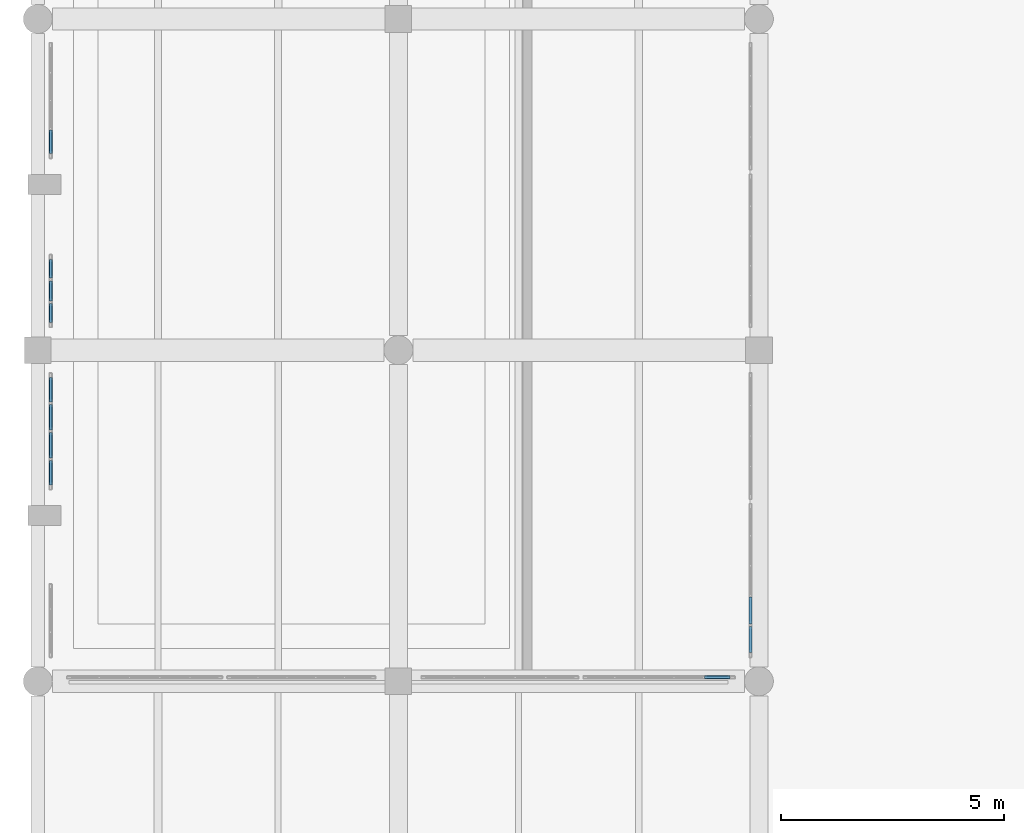
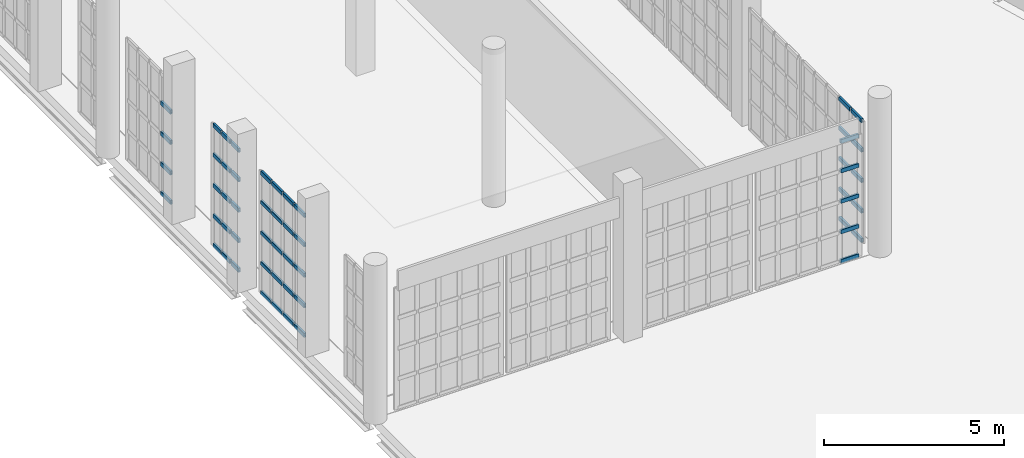
# One storey, part 294 of 372: 54 members, 5 elements without a shape of their own.
"""IFC4 building model written with IfcOpenShell, lengths in metres."""

import ifcopenshell
import ifcopenshell.guid

model = None  # the IFC model being written
_history = None  # IfcOwnerHistory: only IFC2X3 demands one
_inside = {}  # id of a spatial element -> (the spatial element, [elements in it])
_under = {}  # id of a project, library or spatial element -> (it, [spatial elements below it])
_declared = {}  # id of a project -> (the project, [libraries it declares])
_typed = {}  # id of a type object -> (the type object, [elements of that type])
_made_of = {}  # id of a material, layer set ... -> (it, [elements and type objects made of it])


def new_model(schema):
    """Start an empty IFC model of exactly this schema.

    Asked for "IFC4X3", IfcOpenShell would pick the latest addendum, in which some entities
    have other attributes; the version numbers below select the first issue.
    IFC2X3 requires an IfcOwnerHistory on every rooted entity: one is made here for all.
    """
    global model, _history
    if schema == "IFC4X3":
        model = ifcopenshell.file(schema_version=(4, 3, 0, 0))
    else:
        model = ifcopenshell.file(schema=schema)
    _inside.clear()
    _under.clear()
    _declared.clear()
    _typed.clear()
    _made_of.clear()
    _history = None
    if model.schema == "IFC2X3":
        org = make("IfcOrganization", Name="unknown")
        user = make(
            "IfcPersonAndOrganization",
            ThePerson=make("IfcPerson", FamilyName="unknown"),
            TheOrganization=org,
        )
        app = make(
            "IfcApplication",
            ApplicationDeveloper=org,
            Version="unknown",
            ApplicationFullName="unknown",
            ApplicationIdentifier="unknown",
        )
        _history = make(
            "IfcOwnerHistory",
            OwningUser=user,
            OwningApplication=app,
            ChangeAction="ADDED",
            CreationDate=0,
        )
    return model


def make(cls, **values):
    """One entity of the class cls with the attributes given. An attribute that is None is left unset."""
    return model.create_entity(
        cls, **{name: value for name, value in values.items() if value is not None}
    )


def rooted(cls, **values):
    """An entity with a GlobalId (a new one), such as an element, a storey or a relation."""
    return make(cls, GlobalId=ifcopenshell.guid.new(), OwnerHistory=_history, **values)


def si_unit(unit_type, name, prefix=None):
    """IfcSIUnit, for example si_unit("LENGTHUNIT", "METRE", prefix="MILLI")."""
    return make("IfcSIUnit", UnitType=unit_type, Prefix=prefix, Name=name)


def assignment(units):
    """IfcUnitAssignment: the units of a project."""
    return None if units is None else make("IfcUnitAssignment", Units=units)


def point(xyz):
    """IfcCartesianPoint."""
    return None if xyz is None else make("IfcCartesianPoint", Coordinates=xyz)


def direction(xyz):
    """IfcDirection."""
    return None if xyz is None else make("IfcDirection", DirectionRatios=xyz)


def frame(location, z_axis=None, x_axis=None):
    """IfcAxis2Placement3D, a coordinate frame: its origin and axes. An axis left out is left unset."""
    return make(
        "IfcAxis2Placement3D",
        Location=point(location),
        Axis=direction(z_axis),
        RefDirection=direction(x_axis),
    )


def frame_2d(location, x_axis=None):
    """IfcAxis2Placement2D, a coordinate frame in the plane: its origin and x axis."""
    return make(
        "IfcAxis2Placement2D", Location=point(location), RefDirection=direction(x_axis)
    )


def origin():
    """The frame at (0, 0, 0) with its axes left unset."""
    return frame((0.0, 0.0, 0.0))


def origin_2d():
    """The frame at (0, 0) in the plane with its x axis left unset."""
    return frame_2d((0.0, 0.0))


def place(relative_to, where):
    """IfcLocalPlacement: puts the frame where relative to a parent placement (None: the world)."""
    return make(
        "IfcLocalPlacement", PlacementRelTo=relative_to, RelativePlacement=where
    )


def context(
    kind, dimensions, precision=None, world=None, true_north=None, identifier=None
):
    """IfcGeometricRepresentationContext, for example the 3D "Model" context."""
    return make(
        "IfcGeometricRepresentationContext",
        ContextIdentifier=identifier,
        ContextType=kind,
        CoordinateSpaceDimension=dimensions,
        Precision=precision,
        WorldCoordinateSystem=world,
        TrueNorth=true_north,
    )


def subcontext(parent, identifier, kind, view, scale=None):
    """IfcGeometricRepresentationSubContext, for example "Body" below "Model"."""
    return make(
        "IfcGeometricRepresentationSubContext",
        ContextIdentifier=identifier,
        ContextType=kind,
        ParentContext=parent,
        TargetScale=scale,
        TargetView=view,
    )


def project(units=None, contexts=None):
    """IfcProject with its units and contexts."""
    return rooted(
        "IfcProject",
        Name="project",
        RepresentationContexts=contexts,
        UnitsInContext=assignment(units),
    )


def spatial(cls, under=None, at=None, **own):
    """A site, building, storey or space (cls), placed at a placement, below another one or the project."""
    s = rooted(cls, ObjectPlacement=at, **own)
    if under is not None:
        _under.setdefault(under.id(), (under, []))[1].append(s)
    return s


def profile(cls, at=None, kind="AREA", **sizes):
    """A parametric profile (cls). Its sizes go by their IFC names, for example OverallWidth=200.0."""
    return make(cls, ProfileType=kind, Position=at, **sizes)


def hollow_rectangle(**sizes):
    """IfcRectangleHollowProfileDef."""
    return profile("IfcRectangleHollowProfileDef", **sizes)


def extrude(swept, where, along, depth):
    """IfcExtrudedAreaSolid: the profile swept, set in the frame where, extruded along a direction by depth."""
    return make(
        "IfcExtrudedAreaSolid",
        SweptArea=swept,
        Position=where,
        ExtrudedDirection=direction(along),
        Depth=depth,
    )


def shape(context_of_items, identifier, shape_type, items):
    """IfcShapeRepresentation: the items that make up one representation, for example the "Body"."""
    return make(
        "IfcShapeRepresentation",
        ContextOfItems=context_of_items,
        RepresentationIdentifier=identifier,
        RepresentationType=shape_type,
        Items=items,
    )


def material(Name=None, Category=None):
    """IfcMaterial."""
    return make("IfcMaterial", Name=Name, Category=Category)


def material_profile(
    of_material, cross_section, Name=None, Category=None, Priority=None
):
    """IfcMaterialProfile: a cross section and its material."""
    return make(
        "IfcMaterialProfile",
        Name=Name,
        Material=of_material,
        Profile=cross_section,
        Priority=Priority,
        Category=Category,
    )


def profile_set(profiles, Name=None, composite=None):
    """IfcMaterialProfileSet."""
    return make(
        "IfcMaterialProfileSet",
        Name=Name,
        MaterialProfiles=profiles,
        CompositeProfile=composite,
    )


def made_of(thing, what):
    """Note that an element or type object is made of a material, layer set ...; save() writes the relation."""
    if what is not None:
        _made_of.setdefault(what.id(), (what, []))[1].append(thing)
    return thing


def type_object(cls, material=None, **own):
    """A type object (cls), such as IfcWallType, which elements share."""
    return made_of(rooted(cls, **own), material)


def element(
    cls,
    number,
    at=None,
    inside=None,
    cuts=None,
    type_object=None,
    material=None,
    context=None,
    identifier="Body",
    shape_type=None,
    held_by="IfcProductDefinitionShape",
    body=None,
    shapes=None,
    **own,
):
    """One element of the class cls, such as IfcWall. Its Tag is "e" and its number.

    at: its placement. inside: the storey or other place that contains it. cuts: it is an
    opening in that element (IfcRelVoidsElement). A single representation is given by context,
    identifier, shape_type and body (its items); several are given by shapes. held_by: the class
    of the entity that holds the representations. save() writes the other relations.
    """
    e = rooted(cls, Tag="e%d" % number, ObjectPlacement=at, **own)
    if body is not None:
        shapes = [shape(context, identifier, shape_type, body)]
    if shapes is not None:
        e.Representation = make(held_by, Representations=shapes)
    if inside is not None:
        _inside.setdefault(inside.id(), (inside, []))[1].append(e)
    if cuts is not None:
        rooted(
            "IfcRelVoidsElement", RelatingBuildingElement=cuts, RelatedOpeningElement=e
        )
    if type_object is not None:
        _typed.setdefault(type_object.id(), (type_object, []))[1].append(e)
    return made_of(e, material)


def aggregate(whole, parts):
    """IfcRelAggregates: a whole, such as a stair, and the parts it consists of."""
    return rooted("IfcRelAggregates", RelatingObject=whole, RelatedObjects=parts)


def save(model, path):
    """Write the relations noted so far, then the file.

    IfcRelAggregates (storeys below a building ...), IfcRelContainedInSpatialStructure (elements
    in a storey), IfcRelDefinesByType, IfcRelAssociatesMaterial and IfcRelDeclares: one each for
    every whole, place, type object, material and project.
    """
    for whole, parts in _under.values():
        aggregate(whole, parts)
    for where, things in _inside.values():
        rooted(
            "IfcRelContainedInSpatialStructure",
            RelatedElements=things,
            RelatingStructure=where,
        )
    for kind, things in _typed.values():
        rooted("IfcRelDefinesByType", RelatedObjects=things, RelatingType=kind)
    for what, things in _made_of.values():
        rooted("IfcRelAssociatesMaterial", RelatedObjects=things, RelatingMaterial=what)
    for by, libraries in _declared.values():
        rooted("IfcRelDeclares", RelatingContext=by, RelatedDefinitions=libraries)
    model.write(path)


model = new_model("IFC4")

# Units and contexts
model_context = context("Model", 3, precision=1e-05, world=origin(), true_north=direction((0.0, 1.0)))
body_context = subcontext(model_context, "Body", "Model", "MODEL_VIEW")
ifc_project = project(units=[si_unit("LENGTHUNIT", "METRE"), si_unit("AREAUNIT", "SQUARE_METRE"), si_unit("VOLUMEUNIT", "CUBIC_METRE"), si_unit("PLANEANGLEUNIT", "RADIAN"), si_unit("MASSUNIT", "GRAM", prefix="KILO")], contexts=[model_context])

# Site, building, storey
site_placement = place(None, origin())
site = spatial("IfcSite", under=ifc_project, at=site_placement, CompositionType="ELEMENT")
building_placement = place(site_placement, origin())
building = spatial("IfcBuilding", under=site, at=building_placement, Name="Kaelora Sail Theatre", CompositionType="ELEMENT")
storey_placement = place(building_placement, origin())
storey = spatial("IfcBuildingStorey", under=building, at=storey_placement, Name="L00", CompositionType="ELEMENT", Elevation=0.0)

# Curtain wall, members
ifc_material_1 = material(Name="Anodised aluminium and solar-control low-E IGU", Category="aluminium")
curtain_wall_type_1 = type_object("IfcCurtainWallType", Name="ARC-CW-CW-NWG", PredefinedType="NOTDEFINED", material=ifc_material_1)
curtain_wall_1_placement = place(storey_placement, origin())
curtain_wall_1 = element("IfcCurtainWall", 1, at=curtain_wall_1_placement, inside=storey, type_object=curtain_wall_type_1, Name="Glazed Foyer/Conservatory Curtain Wall COLW-S-L00-04", PredefinedType="NOTDEFINED")
ifc_material_2 = material(Name="Anodised aluminium 6063-T6", Category="aluminium")
ifc_material_profile = material_profile(ifc_material_2, hollow_rectangle(XDim=0.070068359375, YDim=0.139892578125, WallThickness=0.00390625, InnerFilletRadius=0.00390625, OuterFilletRadius=0.008056640625, at=origin_2d()), Name="ALU-TRAN 70x140x4")
ifc_profile_set = profile_set([ifc_material_profile], Name="Anodised aluminium 6063-T6")
member_type = type_object("IfcMemberType", Name="ARC-MEM-TR-140", PredefinedType="USERDEFINED", material=ifc_profile_set)
member_1_placement = place(storey_placement, frame((16.48193359375, 31.35009765625, 0.034912109375), z_axis=(1.0, 0.0, 0.0), x_axis=(0.0, 1.0, 0.0)))
member_1 = element("IfcMember", 2, at=member_1_placement, type_object=member_type, Name="CW-NWG transom 5.1", ObjectType="TRANSOM", PredefinedType="USERDEFINED", context=body_context, shape_type="SweptSolid", body=[
    extrude(hollow_rectangle(XDim=0.070068359375, YDim=0.139892578125, WallThickness=0.00390625, InnerFilletRadius=0.00390625, OuterFilletRadius=0.008056640625, at=origin_2d()), origin(), (0.0, 0.0, 1.0), 0.572998046875),
])
member_2_placement = place(storey_placement, frame((16.48193359375, 31.35009765625, 1.0341796875), z_axis=(1.0, 0.0, 0.0), x_axis=(0.0, 1.0, 0.0)))
member_2 = element("IfcMember", 3, at=member_2_placement, type_object=member_type, Name="CW-NWG transom 5.2", ObjectType="TRANSOM", PredefinedType="USERDEFINED", context=body_context, shape_type="SweptSolid", body=[
    extrude(hollow_rectangle(XDim=0.070068359375, YDim=0.139892578125, WallThickness=0.00390625, InnerFilletRadius=0.00390625, OuterFilletRadius=0.008056640625, at=origin_2d()), origin(), (0.0, 0.0, 1.0), 0.572998046875),
])
member_3_placement = place(storey_placement, frame((16.48193359375, 31.35009765625, 2.068603515625), z_axis=(1.0, 0.0, 0.0), x_axis=(0.0, 1.0, 0.0)))
member_3 = element("IfcMember", 4, at=member_3_placement, type_object=member_type, Name="CW-NWG transom 5.3", ObjectType="TRANSOM", PredefinedType="USERDEFINED", context=body_context, shape_type="SweptSolid", body=[
    extrude(hollow_rectangle(XDim=0.070068359375, YDim=0.139892578125, WallThickness=0.00390625, InnerFilletRadius=0.00390625, OuterFilletRadius=0.008056640625, at=origin_2d()), origin(), (0.0, 0.0, 1.0), 0.572998046875),
])
member_4_placement = place(storey_placement, frame((16.48193359375, 31.35009765625, 3.102783203125), z_axis=(1.0, 0.0, 0.0), x_axis=(0.0, 1.0, 0.0)))
member_4 = element("IfcMember", 5, at=member_4_placement, type_object=member_type, Name="CW-NWG transom 5.4", ObjectType="TRANSOM", PredefinedType="USERDEFINED", context=body_context, shape_type="SweptSolid", body=[
    extrude(hollow_rectangle(XDim=0.070068359375, YDim=0.139892578125, WallThickness=0.00390625, InnerFilletRadius=0.00390625, OuterFilletRadius=0.008056640625, at=origin_2d()), origin(), (0.0, 0.0, 1.0), 0.572998046875),
])
member_5_placement = place(storey_placement, frame((16.48193359375, 31.35009765625, 4.10205078125), z_axis=(1.0, 0.0, 0.0), x_axis=(0.0, 1.0, 0.0)))
member_5 = element("IfcMember", 6, at=member_5_placement, type_object=member_type, Name="CW-NWG transom 5.5", ObjectType="TRANSOM", PredefinedType="USERDEFINED", context=body_context, shape_type="SweptSolid", body=[
    extrude(hollow_rectangle(XDim=0.070068359375, YDim=0.139892578125, WallThickness=0.00390625, InnerFilletRadius=0.00390625, OuterFilletRadius=0.008056640625, at=origin_2d()), origin(), (0.0, 0.0, 1.0), 0.572998046875),
])
aggregate(curtain_wall_1, [member_1, member_2, member_3, member_4, member_5])

ifc_material_3 = material(Name="Anodised aluminium and solar-control low-E IGU", Category="aluminium")
curtain_wall_type_2 = type_object("IfcCurtainWallType", Name="ARC-CW-CW-FOY1", PredefinedType="NOTDEFINED", material=ifc_material_3)
curtain_wall_2_placement = place(storey_placement, origin())
curtain_wall_2 = element("IfcCurtainWall", 7, at=curtain_wall_2_placement, inside=storey, type_object=curtain_wall_type_2, Name="Glazed Colonnade/Courtyard Curtain Wall COLW-W-L00-03", PredefinedType="NOTDEFINED")
member_6_placement = place(storey_placement, frame((1.7900390625, 35.675048828125, 0.034912109375), z_axis=(0.0, 1.0, 0.0), x_axis=(-1.0, 0.0, 0.0)))
member_6 = element("IfcMember", 8, at=member_6_placement, type_object=member_type, Name="CW-FOY1 transom 1.1", ObjectType="TRANSOM", PredefinedType="USERDEFINED", context=body_context, shape_type="SweptSolid", body=[
    extrude(hollow_rectangle(XDim=0.070068359375, YDim=0.139892578125, WallThickness=0.00390625, InnerFilletRadius=0.00390625, OuterFilletRadius=0.008056640625, at=origin_2d()), origin(), (0.0, 0.0, 1.0), 0.541259765625),
])
member_7_placement = place(storey_placement, frame((1.7900390625, 35.675048828125, 1.0341796875), z_axis=(0.0, 1.0, 0.0), x_axis=(-1.0, 0.0, 0.0)))
member_7 = element("IfcMember", 9, at=member_7_placement, type_object=member_type, Name="CW-FOY1 transom 1.2", ObjectType="TRANSOM", PredefinedType="USERDEFINED", context=body_context, shape_type="SweptSolid", body=[
    extrude(hollow_rectangle(XDim=0.070068359375, YDim=0.139892578125, WallThickness=0.00390625, InnerFilletRadius=0.00390625, OuterFilletRadius=0.008056640625, at=origin_2d()), origin(), (0.0, 0.0, 1.0), 0.541259765625),
])
member_8_placement = place(storey_placement, frame((1.7900390625, 35.675048828125, 2.068603515625), z_axis=(0.0, 1.0, 0.0), x_axis=(-1.0, 0.0, 0.0)))
member_8 = element("IfcMember", 10, at=member_8_placement, type_object=member_type, Name="CW-FOY1 transom 1.3", ObjectType="TRANSOM", PredefinedType="USERDEFINED", context=body_context, shape_type="SweptSolid", body=[
    extrude(hollow_rectangle(XDim=0.070068359375, YDim=0.139892578125, WallThickness=0.00390625, InnerFilletRadius=0.00390625, OuterFilletRadius=0.008056640625, at=origin_2d()), origin(), (0.0, 0.0, 1.0), 0.541259765625),
])
member_9_placement = place(storey_placement, frame((1.7900390625, 35.675048828125, 3.102783203125), z_axis=(0.0, 1.0, 0.0), x_axis=(-1.0, 0.0, 0.0)))
member_9 = element("IfcMember", 11, at=member_9_placement, type_object=member_type, Name="CW-FOY1 transom 1.4", ObjectType="TRANSOM", PredefinedType="USERDEFINED", context=body_context, shape_type="SweptSolid", body=[
    extrude(hollow_rectangle(XDim=0.070068359375, YDim=0.139892578125, WallThickness=0.00390625, InnerFilletRadius=0.00390625, OuterFilletRadius=0.008056640625, at=origin_2d()), origin(), (0.0, 0.0, 1.0), 0.541259765625),
])
member_10_placement = place(storey_placement, frame((1.7900390625, 35.675048828125, 4.10205078125), z_axis=(0.0, 1.0, 0.0), x_axis=(-1.0, 0.0, 0.0)))
member_10 = element("IfcMember", 12, at=member_10_placement, type_object=member_type, Name="CW-FOY1 transom 1.5", ObjectType="TRANSOM", PredefinedType="USERDEFINED", context=body_context, shape_type="SweptSolid", body=[
    extrude(hollow_rectangle(XDim=0.070068359375, YDim=0.139892578125, WallThickness=0.00390625, InnerFilletRadius=0.00390625, OuterFilletRadius=0.008056640625, at=origin_2d()), origin(), (0.0, 0.0, 1.0), 0.541259765625),
])
member_11_placement = place(storey_placement, frame((1.7900390625, 36.2763671875, 0.034912109375), z_axis=(0.0, 1.0, 0.0), x_axis=(-1.0, 0.0, 0.0)))
member_11 = element("IfcMember", 13, at=member_11_placement, type_object=member_type, Name="CW-FOY1 transom 2.1", ObjectType="TRANSOM", PredefinedType="USERDEFINED", context=body_context, shape_type="SweptSolid", body=[
    extrude(hollow_rectangle(XDim=0.070068359375, YDim=0.139892578125, WallThickness=0.00390625, InnerFilletRadius=0.00390625, OuterFilletRadius=0.008056640625, at=origin_2d()), origin(), (0.0, 0.0, 1.0), 0.571044921875),
])
member_12_placement = place(storey_placement, frame((1.7900390625, 36.2763671875, 1.0341796875), z_axis=(0.0, 1.0, 0.0), x_axis=(-1.0, 0.0, 0.0)))
member_12 = element("IfcMember", 14, at=member_12_placement, type_object=member_type, Name="CW-FOY1 transom 2.2", ObjectType="TRANSOM", PredefinedType="USERDEFINED", context=body_context, shape_type="SweptSolid", body=[
    extrude(hollow_rectangle(XDim=0.070068359375, YDim=0.139892578125, WallThickness=0.00390625, InnerFilletRadius=0.00390625, OuterFilletRadius=0.008056640625, at=origin_2d()), origin(), (0.0, 0.0, 1.0), 0.571044921875),
])
member_13_placement = place(storey_placement, frame((1.7900390625, 36.2763671875, 2.068603515625), z_axis=(0.0, 1.0, 0.0), x_axis=(-1.0, 0.0, 0.0)))
member_13 = element("IfcMember", 15, at=member_13_placement, type_object=member_type, Name="CW-FOY1 transom 2.3", ObjectType="TRANSOM", PredefinedType="USERDEFINED", context=body_context, shape_type="SweptSolid", body=[
    extrude(hollow_rectangle(XDim=0.070068359375, YDim=0.139892578125, WallThickness=0.00390625, InnerFilletRadius=0.00390625, OuterFilletRadius=0.008056640625, at=origin_2d()), origin(), (0.0, 0.0, 1.0), 0.571044921875),
])
member_14_placement = place(storey_placement, frame((1.7900390625, 36.2763671875, 3.102783203125), z_axis=(0.0, 1.0, 0.0), x_axis=(-1.0, 0.0, 0.0)))
member_14 = element("IfcMember", 16, at=member_14_placement, type_object=member_type, Name="CW-FOY1 transom 2.4", ObjectType="TRANSOM", PredefinedType="USERDEFINED", context=body_context, shape_type="SweptSolid", body=[
    extrude(hollow_rectangle(XDim=0.070068359375, YDim=0.139892578125, WallThickness=0.00390625, InnerFilletRadius=0.00390625, OuterFilletRadius=0.008056640625, at=origin_2d()), origin(), (0.0, 0.0, 1.0), 0.571044921875),
])
member_15_placement = place(storey_placement, frame((1.7900390625, 36.2763671875, 4.10205078125), z_axis=(0.0, 1.0, 0.0), x_axis=(-1.0, 0.0, 0.0)))
member_15 = element("IfcMember", 17, at=member_15_placement, type_object=member_type, Name="CW-FOY1 transom 2.5", ObjectType="TRANSOM", PredefinedType="USERDEFINED", context=body_context, shape_type="SweptSolid", body=[
    extrude(hollow_rectangle(XDim=0.070068359375, YDim=0.139892578125, WallThickness=0.00390625, InnerFilletRadius=0.00390625, OuterFilletRadius=0.008056640625, at=origin_2d()), origin(), (0.0, 0.0, 1.0), 0.571044921875),
])
member_16_placement = place(storey_placement, frame((1.7900390625, 36.907470703125, 0.034912109375), z_axis=(0.0, 1.0, 0.0), x_axis=(-1.0, 0.0, 0.0)))
member_16 = element("IfcMember", 18, at=member_16_placement, type_object=member_type, Name="CW-FOY1 transom 3.1", ObjectType="TRANSOM", PredefinedType="USERDEFINED", context=body_context, shape_type="SweptSolid", body=[
    extrude(hollow_rectangle(XDim=0.070068359375, YDim=0.139892578125, WallThickness=0.00390625, InnerFilletRadius=0.00390625, OuterFilletRadius=0.008056640625, at=origin_2d()), origin(), (0.0, 0.0, 1.0), 0.5712890625),
])
member_17_placement = place(storey_placement, frame((1.7900390625, 36.907470703125, 1.0341796875), z_axis=(0.0, 1.0, 0.0), x_axis=(-1.0, 0.0, 0.0)))
member_17 = element("IfcMember", 19, at=member_17_placement, type_object=member_type, Name="CW-FOY1 transom 3.2", ObjectType="TRANSOM", PredefinedType="USERDEFINED", context=body_context, shape_type="SweptSolid", body=[
    extrude(hollow_rectangle(XDim=0.070068359375, YDim=0.139892578125, WallThickness=0.00390625, InnerFilletRadius=0.00390625, OuterFilletRadius=0.008056640625, at=origin_2d()), origin(), (0.0, 0.0, 1.0), 0.5712890625),
])
member_18_placement = place(storey_placement, frame((1.7900390625, 36.907470703125, 2.068603515625), z_axis=(0.0, 1.0, 0.0), x_axis=(-1.0, 0.0, 0.0)))
member_18 = element("IfcMember", 20, at=member_18_placement, type_object=member_type, Name="CW-FOY1 transom 3.3", ObjectType="TRANSOM", PredefinedType="USERDEFINED", context=body_context, shape_type="SweptSolid", body=[
    extrude(hollow_rectangle(XDim=0.070068359375, YDim=0.139892578125, WallThickness=0.00390625, InnerFilletRadius=0.00390625, OuterFilletRadius=0.008056640625, at=origin_2d()), origin(), (0.0, 0.0, 1.0), 0.5712890625),
])
member_19_placement = place(storey_placement, frame((1.7900390625, 36.907470703125, 3.102783203125), z_axis=(0.0, 1.0, 0.0), x_axis=(-1.0, 0.0, 0.0)))
member_19 = element("IfcMember", 21, at=member_19_placement, type_object=member_type, Name="CW-FOY1 transom 3.4", ObjectType="TRANSOM", PredefinedType="USERDEFINED", context=body_context, shape_type="SweptSolid", body=[
    extrude(hollow_rectangle(XDim=0.070068359375, YDim=0.139892578125, WallThickness=0.00390625, InnerFilletRadius=0.00390625, OuterFilletRadius=0.008056640625, at=origin_2d()), origin(), (0.0, 0.0, 1.0), 0.5712890625),
])
member_20_placement = place(storey_placement, frame((1.7900390625, 36.907470703125, 4.10205078125), z_axis=(0.0, 1.0, 0.0), x_axis=(-1.0, 0.0, 0.0)))
member_20 = element("IfcMember", 22, at=member_20_placement, type_object=member_type, Name="CW-FOY1 transom 3.5", ObjectType="TRANSOM", PredefinedType="USERDEFINED", context=body_context, shape_type="SweptSolid", body=[
    extrude(hollow_rectangle(XDim=0.070068359375, YDim=0.139892578125, WallThickness=0.00390625, InnerFilletRadius=0.00390625, OuterFilletRadius=0.008056640625, at=origin_2d()), origin(), (0.0, 0.0, 1.0), 0.5712890625),
])
member_21_placement = place(storey_placement, frame((1.7900390625, 37.538818359375, 0.034912109375), z_axis=(0.0, 1.0, 0.0), x_axis=(-1.0, 0.0, 0.0)))
member_21 = element("IfcMember", 23, at=member_21_placement, type_object=member_type, Name="CW-FOY1 transom 4.1", ObjectType="TRANSOM", PredefinedType="USERDEFINED", context=body_context, shape_type="SweptSolid", body=[
    extrude(hollow_rectangle(XDim=0.070068359375, YDim=0.139892578125, WallThickness=0.00390625, InnerFilletRadius=0.00390625, OuterFilletRadius=0.008056640625, at=origin_2d()), origin(), (0.0, 0.0, 1.0), 0.541259765625),
])
member_22_placement = place(storey_placement, frame((1.7900390625, 37.538818359375, 1.0341796875), z_axis=(0.0, 1.0, 0.0), x_axis=(-1.0, 0.0, 0.0)))
member_22 = element("IfcMember", 24, at=member_22_placement, type_object=member_type, Name="CW-FOY1 transom 4.2", ObjectType="TRANSOM", PredefinedType="USERDEFINED", context=body_context, shape_type="SweptSolid", body=[
    extrude(hollow_rectangle(XDim=0.070068359375, YDim=0.139892578125, WallThickness=0.00390625, InnerFilletRadius=0.00390625, OuterFilletRadius=0.008056640625, at=origin_2d()), origin(), (0.0, 0.0, 1.0), 0.541259765625),
])
member_23_placement = place(storey_placement, frame((1.7900390625, 37.538818359375, 2.068603515625), z_axis=(0.0, 1.0, 0.0), x_axis=(-1.0, 0.0, 0.0)))
member_23 = element("IfcMember", 25, at=member_23_placement, type_object=member_type, Name="CW-FOY1 transom 4.3", ObjectType="TRANSOM", PredefinedType="USERDEFINED", context=body_context, shape_type="SweptSolid", body=[
    extrude(hollow_rectangle(XDim=0.070068359375, YDim=0.139892578125, WallThickness=0.00390625, InnerFilletRadius=0.00390625, OuterFilletRadius=0.008056640625, at=origin_2d()), origin(), (0.0, 0.0, 1.0), 0.541259765625),
])
member_24_placement = place(storey_placement, frame((1.7900390625, 37.538818359375, 3.102783203125), z_axis=(0.0, 1.0, 0.0), x_axis=(-1.0, 0.0, 0.0)))
member_24 = element("IfcMember", 26, at=member_24_placement, type_object=member_type, Name="CW-FOY1 transom 4.4", ObjectType="TRANSOM", PredefinedType="USERDEFINED", context=body_context, shape_type="SweptSolid", body=[
    extrude(hollow_rectangle(XDim=0.070068359375, YDim=0.139892578125, WallThickness=0.00390625, InnerFilletRadius=0.00390625, OuterFilletRadius=0.008056640625, at=origin_2d()), origin(), (0.0, 0.0, 1.0), 0.541259765625),
])
member_25_placement = place(storey_placement, frame((1.7900390625, 37.538818359375, 4.10205078125), z_axis=(0.0, 1.0, 0.0), x_axis=(-1.0, 0.0, 0.0)))
member_25 = element("IfcMember", 27, at=member_25_placement, type_object=member_type, Name="CW-FOY1 transom 4.5", ObjectType="TRANSOM", PredefinedType="USERDEFINED", context=body_context, shape_type="SweptSolid", body=[
    extrude(hollow_rectangle(XDim=0.070068359375, YDim=0.139892578125, WallThickness=0.00390625, InnerFilletRadius=0.00390625, OuterFilletRadius=0.008056640625, at=origin_2d()), origin(), (0.0, 0.0, 1.0), 0.541259765625),
])
aggregate(curtain_wall_2, [member_6, member_7, member_8, member_9, member_10, member_11, member_12, member_13, member_14, member_15, member_16, member_17, member_18, member_19, member_20, member_21, member_22, member_23, member_24, member_25])

curtain_wall_3_placement = place(storey_placement, origin())
curtain_wall_3 = element("IfcCurtainWall", 28, at=curtain_wall_3_placement, inside=storey, type_object=curtain_wall_type_2, Name="Glazed Colonnade/Courtyard Curtain Wall COLW-W-L00-04", PredefinedType="NOTDEFINED")
member_26_placement = place(storey_placement, frame((1.7900390625, 39.320068359375, 0.034912109375), z_axis=(0.0, 1.0, 0.0), x_axis=(-1.0, 0.0, 0.0)))
member_26 = element("IfcMember", 29, at=member_26_placement, type_object=member_type, Name="CW-FOY1 transom 1.1", ObjectType="TRANSOM", PredefinedType="USERDEFINED", context=body_context, shape_type="SweptSolid", body=[
    extrude(hollow_rectangle(XDim=0.070068359375, YDim=0.139892578125, WallThickness=0.00390625, InnerFilletRadius=0.00390625, OuterFilletRadius=0.008056640625, at=origin_2d()), origin(), (0.0, 0.0, 1.0), 0.42333984375),
])
member_27_placement = place(storey_placement, frame((1.7900390625, 39.320068359375, 1.0341796875), z_axis=(0.0, 1.0, 0.0), x_axis=(-1.0, 0.0, 0.0)))
member_27 = element("IfcMember", 30, at=member_27_placement, type_object=member_type, Name="CW-FOY1 transom 1.2", ObjectType="TRANSOM", PredefinedType="USERDEFINED", context=body_context, shape_type="SweptSolid", body=[
    extrude(hollow_rectangle(XDim=0.070068359375, YDim=0.139892578125, WallThickness=0.00390625, InnerFilletRadius=0.00390625, OuterFilletRadius=0.008056640625, at=origin_2d()), origin(), (0.0, 0.0, 1.0), 0.42333984375),
])
member_28_placement = place(storey_placement, frame((1.7900390625, 39.320068359375, 2.068603515625), z_axis=(0.0, 1.0, 0.0), x_axis=(-1.0, 0.0, 0.0)))
member_28 = element("IfcMember", 31, at=member_28_placement, type_object=member_type, Name="CW-FOY1 transom 1.3", ObjectType="TRANSOM", PredefinedType="USERDEFINED", context=body_context, shape_type="SweptSolid", body=[
    extrude(hollow_rectangle(XDim=0.070068359375, YDim=0.139892578125, WallThickness=0.00390625, InnerFilletRadius=0.00390625, OuterFilletRadius=0.008056640625, at=origin_2d()), origin(), (0.0, 0.0, 1.0), 0.42333984375),
])
member_29_placement = place(storey_placement, frame((1.7900390625, 39.320068359375, 3.102783203125), z_axis=(0.0, 1.0, 0.0), x_axis=(-1.0, 0.0, 0.0)))
member_29 = element("IfcMember", 32, at=member_29_placement, type_object=member_type, Name="CW-FOY1 transom 1.4", ObjectType="TRANSOM", PredefinedType="USERDEFINED", context=body_context, shape_type="SweptSolid", body=[
    extrude(hollow_rectangle(XDim=0.070068359375, YDim=0.139892578125, WallThickness=0.00390625, InnerFilletRadius=0.00390625, OuterFilletRadius=0.008056640625, at=origin_2d()), origin(), (0.0, 0.0, 1.0), 0.42333984375),
])
member_30_placement = place(storey_placement, frame((1.7900390625, 39.320068359375, 4.10205078125), z_axis=(0.0, 1.0, 0.0), x_axis=(-1.0, 0.0, 0.0)))
member_30 = element("IfcMember", 33, at=member_30_placement, type_object=member_type, Name="CW-FOY1 transom 1.5", ObjectType="TRANSOM", PredefinedType="USERDEFINED", context=body_context, shape_type="SweptSolid", body=[
    extrude(hollow_rectangle(XDim=0.070068359375, YDim=0.139892578125, WallThickness=0.00390625, InnerFilletRadius=0.00390625, OuterFilletRadius=0.008056640625, at=origin_2d()), origin(), (0.0, 0.0, 1.0), 0.42333984375),
])
member_31_placement = place(storey_placement, frame((1.7900390625, 39.80322265625, 0.034912109375), z_axis=(0.0, 1.0, 0.0), x_axis=(-1.0, 0.0, 0.0)))
member_31 = element("IfcMember", 34, at=member_31_placement, type_object=member_type, Name="CW-FOY1 transom 2.1", ObjectType="TRANSOM", PredefinedType="USERDEFINED", context=body_context, shape_type="SweptSolid", body=[
    extrude(hollow_rectangle(XDim=0.070068359375, YDim=0.139892578125, WallThickness=0.00390625, InnerFilletRadius=0.00390625, OuterFilletRadius=0.008056640625, at=origin_2d()), origin(), (0.0, 0.0, 1.0), 0.453369140625),
])
member_32_placement = place(storey_placement, frame((1.7900390625, 39.80322265625, 1.0341796875), z_axis=(0.0, 1.0, 0.0), x_axis=(-1.0, 0.0, 0.0)))
member_32 = element("IfcMember", 35, at=member_32_placement, type_object=member_type, Name="CW-FOY1 transom 2.2", ObjectType="TRANSOM", PredefinedType="USERDEFINED", context=body_context, shape_type="SweptSolid", body=[
    extrude(hollow_rectangle(XDim=0.070068359375, YDim=0.139892578125, WallThickness=0.00390625, InnerFilletRadius=0.00390625, OuterFilletRadius=0.008056640625, at=origin_2d()), origin(), (0.0, 0.0, 1.0), 0.453369140625),
])
member_33_placement = place(storey_placement, frame((1.7900390625, 39.80322265625, 2.068603515625), z_axis=(0.0, 1.0, 0.0), x_axis=(-1.0, 0.0, 0.0)))
member_33 = element("IfcMember", 36, at=member_33_placement, type_object=member_type, Name="CW-FOY1 transom 2.3", ObjectType="TRANSOM", PredefinedType="USERDEFINED", context=body_context, shape_type="SweptSolid", body=[
    extrude(hollow_rectangle(XDim=0.070068359375, YDim=0.139892578125, WallThickness=0.00390625, InnerFilletRadius=0.00390625, OuterFilletRadius=0.008056640625, at=origin_2d()), origin(), (0.0, 0.0, 1.0), 0.453369140625),
])
member_34_placement = place(storey_placement, frame((1.7900390625, 39.80322265625, 3.102783203125), z_axis=(0.0, 1.0, 0.0), x_axis=(-1.0, 0.0, 0.0)))
member_34 = element("IfcMember", 37, at=member_34_placement, type_object=member_type, Name="CW-FOY1 transom 2.4", ObjectType="TRANSOM", PredefinedType="USERDEFINED", context=body_context, shape_type="SweptSolid", body=[
    extrude(hollow_rectangle(XDim=0.070068359375, YDim=0.139892578125, WallThickness=0.00390625, InnerFilletRadius=0.00390625, OuterFilletRadius=0.008056640625, at=origin_2d()), origin(), (0.0, 0.0, 1.0), 0.453369140625),
])
member_35_placement = place(storey_placement, frame((1.7900390625, 39.80322265625, 4.10205078125), z_axis=(0.0, 1.0, 0.0), x_axis=(-1.0, 0.0, 0.0)))
member_35 = element("IfcMember", 38, at=member_35_placement, type_object=member_type, Name="CW-FOY1 transom 2.5", ObjectType="TRANSOM", PredefinedType="USERDEFINED", context=body_context, shape_type="SweptSolid", body=[
    extrude(hollow_rectangle(XDim=0.070068359375, YDim=0.139892578125, WallThickness=0.00390625, InnerFilletRadius=0.00390625, OuterFilletRadius=0.008056640625, at=origin_2d()), origin(), (0.0, 0.0, 1.0), 0.453369140625),
])
member_36_placement = place(storey_placement, frame((1.7900390625, 40.316650390625, 0.034912109375), z_axis=(0.0, 1.0, 0.0), x_axis=(-1.0, 0.0, 0.0)))
member_36 = element("IfcMember", 39, at=member_36_placement, type_object=member_type, Name="CW-FOY1 transom 3.1", ObjectType="TRANSOM", PredefinedType="USERDEFINED", context=body_context, shape_type="SweptSolid", body=[
    extrude(hollow_rectangle(XDim=0.070068359375, YDim=0.139892578125, WallThickness=0.00390625, InnerFilletRadius=0.00390625, OuterFilletRadius=0.008056640625, at=origin_2d()), origin(), (0.0, 0.0, 1.0), 0.42333984375),
])
member_37_placement = place(storey_placement, frame((1.7900390625, 40.316650390625, 1.0341796875), z_axis=(0.0, 1.0, 0.0), x_axis=(-1.0, 0.0, 0.0)))
member_37 = element("IfcMember", 40, at=member_37_placement, type_object=member_type, Name="CW-FOY1 transom 3.2", ObjectType="TRANSOM", PredefinedType="USERDEFINED", context=body_context, shape_type="SweptSolid", body=[
    extrude(hollow_rectangle(XDim=0.070068359375, YDim=0.139892578125, WallThickness=0.00390625, InnerFilletRadius=0.00390625, OuterFilletRadius=0.008056640625, at=origin_2d()), origin(), (0.0, 0.0, 1.0), 0.42333984375),
])
member_38_placement = place(storey_placement, frame((1.7900390625, 40.316650390625, 2.068603515625), z_axis=(0.0, 1.0, 0.0), x_axis=(-1.0, 0.0, 0.0)))
member_38 = element("IfcMember", 41, at=member_38_placement, type_object=member_type, Name="CW-FOY1 transom 3.3", ObjectType="TRANSOM", PredefinedType="USERDEFINED", context=body_context, shape_type="SweptSolid", body=[
    extrude(hollow_rectangle(XDim=0.070068359375, YDim=0.139892578125, WallThickness=0.00390625, InnerFilletRadius=0.00390625, OuterFilletRadius=0.008056640625, at=origin_2d()), origin(), (0.0, 0.0, 1.0), 0.42333984375),
])
member_39_placement = place(storey_placement, frame((1.7900390625, 40.316650390625, 3.102783203125), z_axis=(0.0, 1.0, 0.0), x_axis=(-1.0, 0.0, 0.0)))
member_39 = element("IfcMember", 42, at=member_39_placement, type_object=member_type, Name="CW-FOY1 transom 3.4", ObjectType="TRANSOM", PredefinedType="USERDEFINED", context=body_context, shape_type="SweptSolid", body=[
    extrude(hollow_rectangle(XDim=0.070068359375, YDim=0.139892578125, WallThickness=0.00390625, InnerFilletRadius=0.00390625, OuterFilletRadius=0.008056640625, at=origin_2d()), origin(), (0.0, 0.0, 1.0), 0.42333984375),
])
member_40_placement = place(storey_placement, frame((1.7900390625, 40.316650390625, 4.10205078125), z_axis=(0.0, 1.0, 0.0), x_axis=(-1.0, 0.0, 0.0)))
member_40 = element("IfcMember", 43, at=member_40_placement, type_object=member_type, Name="CW-FOY1 transom 3.5", ObjectType="TRANSOM", PredefinedType="USERDEFINED", context=body_context, shape_type="SweptSolid", body=[
    extrude(hollow_rectangle(XDim=0.070068359375, YDim=0.139892578125, WallThickness=0.00390625, InnerFilletRadius=0.00390625, OuterFilletRadius=0.008056640625, at=origin_2d()), origin(), (0.0, 0.0, 1.0), 0.42333984375),
])
aggregate(curtain_wall_3, [member_26, member_27, member_28, member_29, member_30, member_31, member_32, member_33, member_34, member_35, member_36, member_37, member_38, member_39, member_40])

curtain_wall_4_placement = place(storey_placement, origin())
curtain_wall_4 = element("IfcCurtainWall", 44, at=curtain_wall_4_placement, inside=storey, type_object=curtain_wall_type_2, Name="Glazed Colonnade/Courtyard Curtain Wall COLW-W-L00-06", PredefinedType="NOTDEFINED")
member_41_placement = place(storey_placement, frame((1.7900390625, 43.114990234375, 0.034912109375), z_axis=(0.0, 1.0, 0.0), x_axis=(-1.0, 0.0, 0.0)))
member_41 = element("IfcMember", 45, at=member_41_placement, type_object=member_type, Name="CW-FOY1 transom 1.1", ObjectType="TRANSOM", PredefinedType="USERDEFINED", context=body_context, shape_type="SweptSolid", body=[
    extrude(hollow_rectangle(XDim=0.070068359375, YDim=0.139892578125, WallThickness=0.00390625, InnerFilletRadius=0.00390625, OuterFilletRadius=0.008056640625, at=origin_2d()), origin(), (0.0, 0.0, 1.0), 0.534912109375),
])
member_42_placement = place(storey_placement, frame((1.7900390625, 43.114990234375, 1.0341796875), z_axis=(0.0, 1.0, 0.0), x_axis=(-1.0, 0.0, 0.0)))
member_42 = element("IfcMember", 46, at=member_42_placement, type_object=member_type, Name="CW-FOY1 transom 1.2", ObjectType="TRANSOM", PredefinedType="USERDEFINED", context=body_context, shape_type="SweptSolid", body=[
    extrude(hollow_rectangle(XDim=0.070068359375, YDim=0.139892578125, WallThickness=0.00390625, InnerFilletRadius=0.00390625, OuterFilletRadius=0.008056640625, at=origin_2d()), origin(), (0.0, 0.0, 1.0), 0.534912109375),
])
member_43_placement = place(storey_placement, frame((1.7900390625, 43.114990234375, 2.068603515625), z_axis=(0.0, 1.0, 0.0), x_axis=(-1.0, 0.0, 0.0)))
member_43 = element("IfcMember", 47, at=member_43_placement, type_object=member_type, Name="CW-FOY1 transom 1.3", ObjectType="TRANSOM", PredefinedType="USERDEFINED", context=body_context, shape_type="SweptSolid", body=[
    extrude(hollow_rectangle(XDim=0.070068359375, YDim=0.139892578125, WallThickness=0.00390625, InnerFilletRadius=0.00390625, OuterFilletRadius=0.008056640625, at=origin_2d()), origin(), (0.0, 0.0, 1.0), 0.534912109375),
])
member_44_placement = place(storey_placement, frame((1.7900390625, 43.114990234375, 3.102783203125), z_axis=(0.0, 1.0, 0.0), x_axis=(-1.0, 0.0, 0.0)))
member_44 = element("IfcMember", 48, at=member_44_placement, type_object=member_type, Name="CW-FOY1 transom 1.4", ObjectType="TRANSOM", PredefinedType="USERDEFINED", context=body_context, shape_type="SweptSolid", body=[
    extrude(hollow_rectangle(XDim=0.070068359375, YDim=0.139892578125, WallThickness=0.00390625, InnerFilletRadius=0.00390625, OuterFilletRadius=0.008056640625, at=origin_2d()), origin(), (0.0, 0.0, 1.0), 0.534912109375),
])
aggregate(curtain_wall_4, [member_41, member_42, member_43, member_44])

ifc_material_4 = material(Name="Anodised aluminium and solar-control low-E IGU", Category="aluminium")
curtain_wall_type_3 = type_object("IfcCurtainWallType", Name="ARC-CW-CW-FOY2", PredefinedType="NOTDEFINED", material=ifc_material_4)
curtain_wall_5_placement = place(storey_placement, origin())
curtain_wall_5 = element("IfcCurtainWall", 49, at=curtain_wall_5_placement, inside=storey, type_object=curtain_wall_type_3, Name="Glazed Colonnade/Courtyard Curtain Wall COLW-E-L00-01", PredefinedType="NOTDEFINED")
member_45_placement = place(storey_placement, frame((17.510009765625, 31.905029296875, 0.034912109375), z_axis=(0.0, 1.0, 0.0), x_axis=(-1.0, 0.0, 0.0)))
member_45 = element("IfcMember", 50, at=member_45_placement, type_object=member_type, Name="CW-FOY2 transom 1.1", ObjectType="TRANSOM", PredefinedType="USERDEFINED", context=body_context, shape_type="SweptSolid", body=[
    extrude(hollow_rectangle(XDim=0.070068359375, YDim=0.139892578125, WallThickness=0.00390625, InnerFilletRadius=0.00390625, OuterFilletRadius=0.008056640625, at=origin_2d()), origin(), (0.0, 0.0, 1.0), 0.5810546875),
])
member_46_placement = place(storey_placement, frame((17.510009765625, 31.905029296875, 1.0341796875), z_axis=(0.0, 1.0, 0.0), x_axis=(-1.0, 0.0, 0.0)))
member_46 = element("IfcMember", 51, at=member_46_placement, type_object=member_type, Name="CW-FOY2 transom 1.2", ObjectType="TRANSOM", PredefinedType="USERDEFINED", context=body_context, shape_type="SweptSolid", body=[
    extrude(hollow_rectangle(XDim=0.070068359375, YDim=0.139892578125, WallThickness=0.00390625, InnerFilletRadius=0.00390625, OuterFilletRadius=0.008056640625, at=origin_2d()), origin(), (0.0, 0.0, 1.0), 0.5810546875),
])
member_47_placement = place(storey_placement, frame((17.510009765625, 31.905029296875, 2.068603515625), z_axis=(0.0, 1.0, 0.0), x_axis=(-1.0, 0.0, 0.0)))
member_47 = element("IfcMember", 52, at=member_47_placement, type_object=member_type, Name="CW-FOY2 transom 1.3", ObjectType="TRANSOM", PredefinedType="USERDEFINED", context=body_context, shape_type="SweptSolid", body=[
    extrude(hollow_rectangle(XDim=0.070068359375, YDim=0.139892578125, WallThickness=0.00390625, InnerFilletRadius=0.00390625, OuterFilletRadius=0.008056640625, at=origin_2d()), origin(), (0.0, 0.0, 1.0), 0.5810546875),
])
member_48_placement = place(storey_placement, frame((17.510009765625, 31.905029296875, 3.102783203125), z_axis=(0.0, 1.0, 0.0), x_axis=(-1.0, 0.0, 0.0)))
member_48 = element("IfcMember", 53, at=member_48_placement, type_object=member_type, Name="CW-FOY2 transom 1.4", ObjectType="TRANSOM", PredefinedType="USERDEFINED", context=body_context, shape_type="SweptSolid", body=[
    extrude(hollow_rectangle(XDim=0.070068359375, YDim=0.139892578125, WallThickness=0.00390625, InnerFilletRadius=0.00390625, OuterFilletRadius=0.008056640625, at=origin_2d()), origin(), (0.0, 0.0, 1.0), 0.5810546875),
])
member_49_placement = place(storey_placement, frame((17.510009765625, 31.905029296875, 4.10205078125), z_axis=(0.0, 1.0, 0.0), x_axis=(-1.0, 0.0, 0.0)))
member_49 = element("IfcMember", 54, at=member_49_placement, type_object=member_type, Name="CW-FOY2 transom 1.5", ObjectType="TRANSOM", PredefinedType="USERDEFINED", context=body_context, shape_type="SweptSolid", body=[
    extrude(hollow_rectangle(XDim=0.070068359375, YDim=0.139892578125, WallThickness=0.00390625, InnerFilletRadius=0.00390625, OuterFilletRadius=0.008056640625, at=origin_2d()), origin(), (0.0, 0.0, 1.0), 0.5810546875),
])
member_50_placement = place(storey_placement, frame((17.510009765625, 32.5458984375, 0.034912109375), z_axis=(0.0, 1.0, 0.0), x_axis=(-1.0, 0.0, 0.0)))
member_50 = element("IfcMember", 55, at=member_50_placement, type_object=member_type, Name="CW-FOY2 transom 2.1", ObjectType="TRANSOM", PredefinedType="USERDEFINED", context=body_context, shape_type="SweptSolid", body=[
    extrude(hollow_rectangle(XDim=0.070068359375, YDim=0.139892578125, WallThickness=0.00390625, InnerFilletRadius=0.00390625, OuterFilletRadius=0.008056640625, at=origin_2d()), origin(), (0.0, 0.0, 1.0), 0.611083984375),
])
member_51_placement = place(storey_placement, frame((17.510009765625, 32.5458984375, 1.0341796875), z_axis=(0.0, 1.0, 0.0), x_axis=(-1.0, 0.0, 0.0)))
member_51 = element("IfcMember", 56, at=member_51_placement, type_object=member_type, Name="CW-FOY2 transom 2.2", ObjectType="TRANSOM", PredefinedType="USERDEFINED", context=body_context, shape_type="SweptSolid", body=[
    extrude(hollow_rectangle(XDim=0.070068359375, YDim=0.139892578125, WallThickness=0.00390625, InnerFilletRadius=0.00390625, OuterFilletRadius=0.008056640625, at=origin_2d()), origin(), (0.0, 0.0, 1.0), 0.611083984375),
])
member_52_placement = place(storey_placement, frame((17.510009765625, 32.5458984375, 2.068603515625), z_axis=(0.0, 1.0, 0.0), x_axis=(-1.0, 0.0, 0.0)))
member_52 = element("IfcMember", 57, at=member_52_placement, type_object=member_type, Name="CW-FOY2 transom 2.3", ObjectType="TRANSOM", PredefinedType="USERDEFINED", context=body_context, shape_type="SweptSolid", body=[
    extrude(hollow_rectangle(XDim=0.070068359375, YDim=0.139892578125, WallThickness=0.00390625, InnerFilletRadius=0.00390625, OuterFilletRadius=0.008056640625, at=origin_2d()), origin(), (0.0, 0.0, 1.0), 0.611083984375),
])
member_53_placement = place(storey_placement, frame((17.510009765625, 32.5458984375, 3.102783203125), z_axis=(0.0, 1.0, 0.0), x_axis=(-1.0, 0.0, 0.0)))
member_53 = element("IfcMember", 58, at=member_53_placement, type_object=member_type, Name="CW-FOY2 transom 2.4", ObjectType="TRANSOM", PredefinedType="USERDEFINED", context=body_context, shape_type="SweptSolid", body=[
    extrude(hollow_rectangle(XDim=0.070068359375, YDim=0.139892578125, WallThickness=0.00390625, InnerFilletRadius=0.00390625, OuterFilletRadius=0.008056640625, at=origin_2d()), origin(), (0.0, 0.0, 1.0), 0.611083984375),
])
member_54_placement = place(storey_placement, frame((17.510009765625, 32.5458984375, 4.10205078125), z_axis=(0.0, 1.0, 0.0), x_axis=(-1.0, 0.0, 0.0)))
member_54 = element("IfcMember", 59, at=member_54_placement, type_object=member_type, Name="CW-FOY2 transom 2.5", ObjectType="TRANSOM", PredefinedType="USERDEFINED", context=body_context, shape_type="SweptSolid", body=[
    extrude(hollow_rectangle(XDim=0.070068359375, YDim=0.139892578125, WallThickness=0.00390625, InnerFilletRadius=0.00390625, OuterFilletRadius=0.008056640625, at=origin_2d()), origin(), (0.0, 0.0, 1.0), 0.611083984375),
])
aggregate(curtain_wall_5, [member_45, member_46, member_47, member_48, member_49, member_50, member_51, member_52, member_53, member_54])

save(model, "model.ifc")
